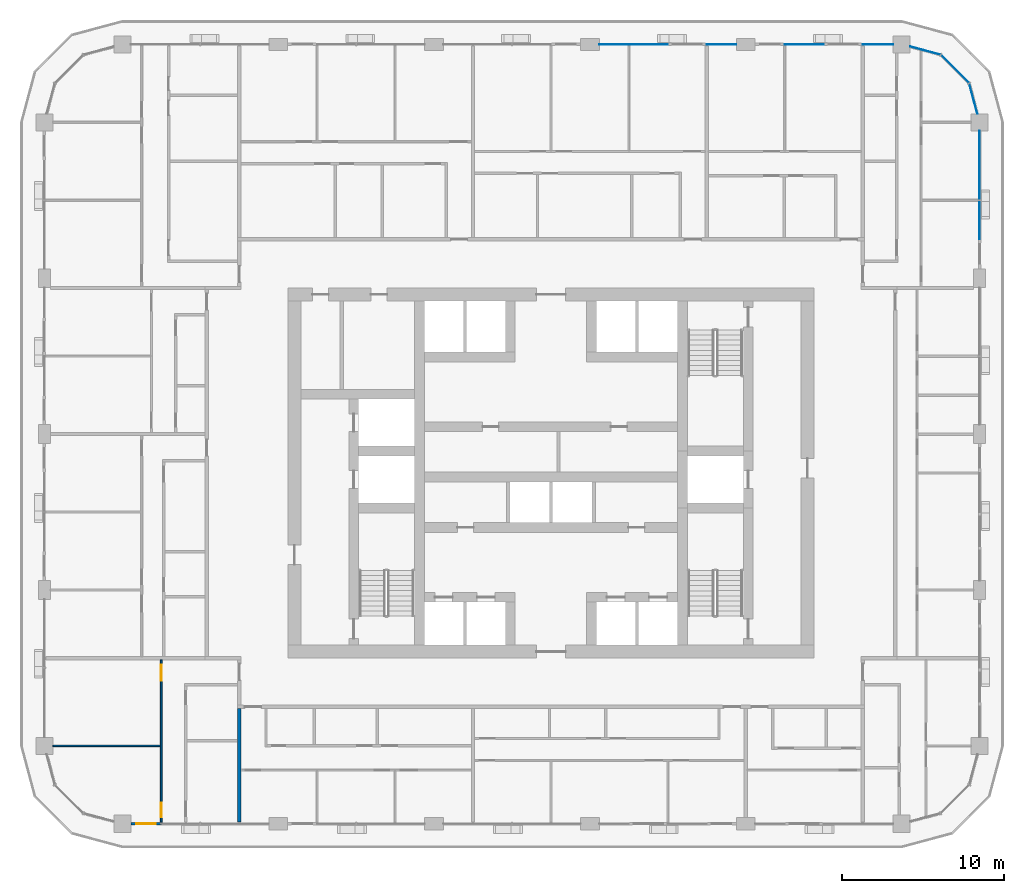
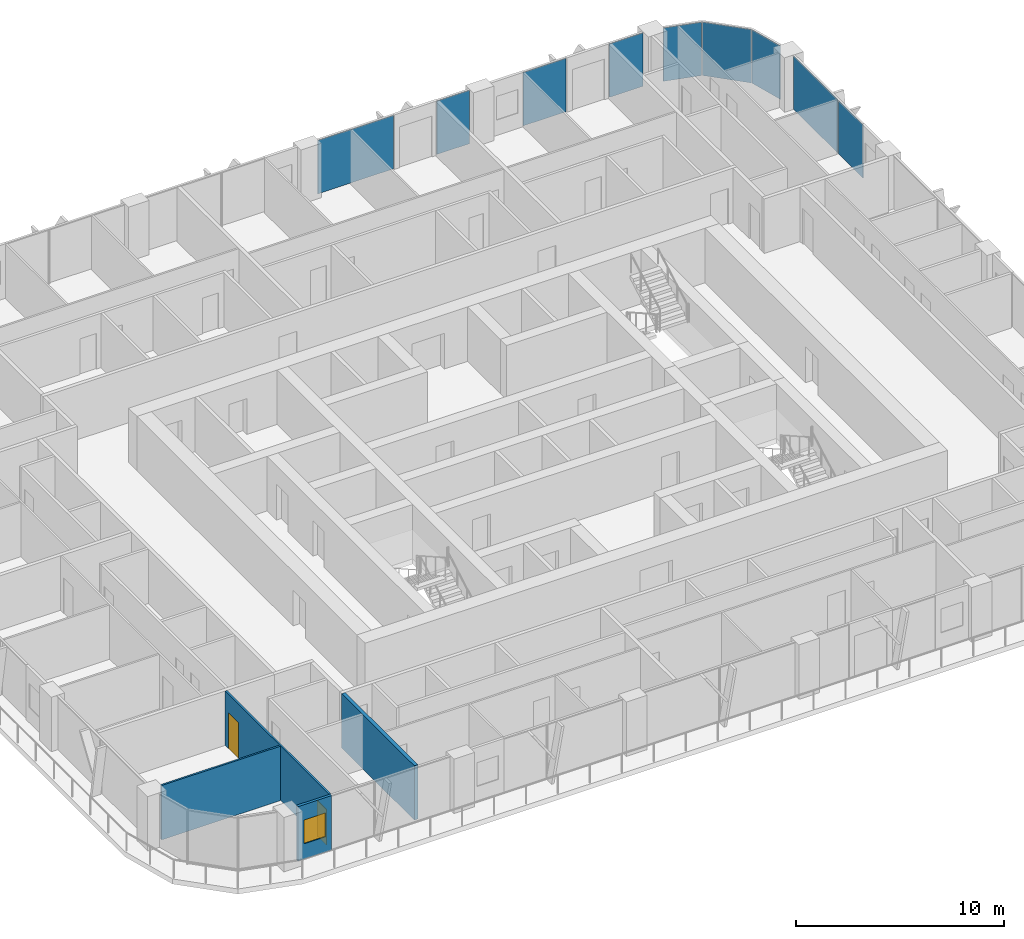
# One storey, part 8 of 22: 9 plates, 4 walls, 2 doors, 1 window, 3 openings, 4 elements without a shape of their own.
"""IFC4 building model written with IfcOpenShell, lengths in metres."""

import ifcopenshell
import ifcopenshell.guid

model = None  # the IFC model being written
_history = None  # IfcOwnerHistory: only IFC2X3 demands one
_inside = {}  # id of a spatial element -> (the spatial element, [elements in it])
_under = {}  # id of a project, library or spatial element -> (it, [spatial elements below it])
_declared = {}  # id of a project -> (the project, [libraries it declares])
_typed = {}  # id of a type object -> (the type object, [elements of that type])
_made_of = {}  # id of a material, layer set ... -> (it, [elements and type objects made of it])


def new_model(schema):
    """Start an empty IFC model of exactly this schema.

    Asked for "IFC4X3", IfcOpenShell would pick the latest addendum, in which some entities
    have other attributes; the version numbers below select the first issue.
    IFC2X3 requires an IfcOwnerHistory on every rooted entity: one is made here for all.
    """
    global model, _history
    if schema == "IFC4X3":
        model = ifcopenshell.file(schema_version=(4, 3, 0, 0))
    else:
        model = ifcopenshell.file(schema=schema)
    _inside.clear()
    _under.clear()
    _declared.clear()
    _typed.clear()
    _made_of.clear()
    _history = None
    if model.schema == "IFC2X3":
        org = make("IfcOrganization", Name="unknown")
        user = make(
            "IfcPersonAndOrganization",
            ThePerson=make("IfcPerson", FamilyName="unknown"),
            TheOrganization=org,
        )
        app = make(
            "IfcApplication",
            ApplicationDeveloper=org,
            Version="unknown",
            ApplicationFullName="unknown",
            ApplicationIdentifier="unknown",
        )
        _history = make(
            "IfcOwnerHistory",
            OwningUser=user,
            OwningApplication=app,
            ChangeAction="ADDED",
            CreationDate=0,
        )
    return model


def make(cls, **values):
    """One entity of the class cls with the attributes given. An attribute that is None is left unset."""
    return model.create_entity(
        cls, **{name: value for name, value in values.items() if value is not None}
    )


def rooted(cls, **values):
    """An entity with a GlobalId (a new one), such as an element, a storey or a relation."""
    return make(cls, GlobalId=ifcopenshell.guid.new(), OwnerHistory=_history, **values)


def si_unit(unit_type, name, prefix=None):
    """IfcSIUnit, for example si_unit("LENGTHUNIT", "METRE", prefix="MILLI")."""
    return make("IfcSIUnit", UnitType=unit_type, Prefix=prefix, Name=name)


def assignment(units):
    """IfcUnitAssignment: the units of a project."""
    return None if units is None else make("IfcUnitAssignment", Units=units)


def point(xyz):
    """IfcCartesianPoint."""
    return None if xyz is None else make("IfcCartesianPoint", Coordinates=xyz)


def direction(xyz):
    """IfcDirection."""
    return None if xyz is None else make("IfcDirection", DirectionRatios=xyz)


def frame(location, z_axis=None, x_axis=None):
    """IfcAxis2Placement3D, a coordinate frame: its origin and axes. An axis left out is left unset."""
    return make(
        "IfcAxis2Placement3D",
        Location=point(location),
        Axis=direction(z_axis),
        RefDirection=direction(x_axis),
    )


def frame_2d(location, x_axis=None):
    """IfcAxis2Placement2D, a coordinate frame in the plane: its origin and x axis."""
    return make(
        "IfcAxis2Placement2D", Location=point(location), RefDirection=direction(x_axis)
    )


def origin():
    """The frame at (0, 0, 0) with its axes left unset."""
    return frame((0.0, 0.0, 0.0))


def origin_2d():
    """The frame at (0, 0) in the plane with its x axis left unset."""
    return frame_2d((0.0, 0.0))


def place(relative_to, where):
    """IfcLocalPlacement: puts the frame where relative to a parent placement (None: the world)."""
    return make(
        "IfcLocalPlacement", PlacementRelTo=relative_to, RelativePlacement=where
    )


def context(
    kind, dimensions, precision=None, world=None, true_north=None, identifier=None
):
    """IfcGeometricRepresentationContext, for example the 3D "Model" context."""
    return make(
        "IfcGeometricRepresentationContext",
        ContextIdentifier=identifier,
        ContextType=kind,
        CoordinateSpaceDimension=dimensions,
        Precision=precision,
        WorldCoordinateSystem=world,
        TrueNorth=true_north,
    )


def subcontext(parent, identifier, kind, view, scale=None):
    """IfcGeometricRepresentationSubContext, for example "Body" below "Model"."""
    return make(
        "IfcGeometricRepresentationSubContext",
        ContextIdentifier=identifier,
        ContextType=kind,
        ParentContext=parent,
        TargetScale=scale,
        TargetView=view,
    )


def project(units=None, contexts=None):
    """IfcProject with its units and contexts."""
    return rooted(
        "IfcProject",
        Name="project",
        RepresentationContexts=contexts,
        UnitsInContext=assignment(units),
    )


def spatial(cls, under=None, at=None, **own):
    """A site, building, storey or space (cls), placed at a placement, below another one or the project."""
    s = rooted(cls, ObjectPlacement=at, **own)
    if under is not None:
        _under.setdefault(under.id(), (under, []))[1].append(s)
    return s


def profile(cls, at=None, kind="AREA", **sizes):
    """A parametric profile (cls). Its sizes go by their IFC names, for example OverallWidth=200.0."""
    return make(cls, ProfileType=kind, Position=at, **sizes)


def rectangle(**sizes):
    """IfcRectangleProfileDef."""
    return profile("IfcRectangleProfileDef", **sizes)


def extrude(swept, where, along, depth):
    """IfcExtrudedAreaSolid: the profile swept, set in the frame where, extruded along a direction by depth."""
    return make(
        "IfcExtrudedAreaSolid",
        SweptArea=swept,
        Position=where,
        ExtrudedDirection=direction(along),
        Depth=depth,
    )


def shape(context_of_items, identifier, shape_type, items):
    """IfcShapeRepresentation: the items that make up one representation, for example the "Body"."""
    return make(
        "IfcShapeRepresentation",
        ContextOfItems=context_of_items,
        RepresentationIdentifier=identifier,
        RepresentationType=shape_type,
        Items=items,
    )


def material(Name=None, Category=None):
    """IfcMaterial."""
    return make("IfcMaterial", Name=Name, Category=Category)


def layer(
    of_material, thickness, ventilated=None, Name=None, Category=None, Priority=None
):
    """IfcMaterialLayer: one layer of a wall or slab, of a material (None: an air gap)."""
    return make(
        "IfcMaterialLayer",
        Material=of_material,
        LayerThickness=thickness,
        IsVentilated=ventilated,
        Name=Name,
        Category=Category,
        Priority=Priority,
    )


def layer_set(layers, Name=None):
    """IfcMaterialLayerSet."""
    return make("IfcMaterialLayerSet", MaterialLayers=layers, LayerSetName=Name)


def made_of(thing, what):
    """Note that an element or type object is made of a material, layer set ...; save() writes the relation."""
    if what is not None:
        _made_of.setdefault(what.id(), (what, []))[1].append(thing)
    return thing


def type_object(cls, material=None, **own):
    """A type object (cls), such as IfcWallType, which elements share."""
    return made_of(rooted(cls, **own), material)


def element(
    cls,
    number,
    at=None,
    inside=None,
    cuts=None,
    type_object=None,
    material=None,
    context=None,
    identifier="Body",
    shape_type=None,
    held_by="IfcProductDefinitionShape",
    body=None,
    shapes=None,
    **own,
):
    """One element of the class cls, such as IfcWall. Its Tag is "e" and its number.

    at: its placement. inside: the storey or other place that contains it. cuts: it is an
    opening in that element (IfcRelVoidsElement). A single representation is given by context,
    identifier, shape_type and body (its items); several are given by shapes. held_by: the class
    of the entity that holds the representations. save() writes the other relations.
    """
    e = rooted(cls, Tag="e%d" % number, ObjectPlacement=at, **own)
    if body is not None:
        shapes = [shape(context, identifier, shape_type, body)]
    if shapes is not None:
        e.Representation = make(held_by, Representations=shapes)
    if inside is not None:
        _inside.setdefault(inside.id(), (inside, []))[1].append(e)
    if cuts is not None:
        rooted(
            "IfcRelVoidsElement", RelatingBuildingElement=cuts, RelatedOpeningElement=e
        )
    if type_object is not None:
        _typed.setdefault(type_object.id(), (type_object, []))[1].append(e)
    return made_of(e, material)


def fill(opening, filler):
    """IfcRelFillsElement: the door or window that sits in an opening."""
    return rooted(
        "IfcRelFillsElement",
        RelatingOpeningElement=opening,
        RelatedBuildingElement=filler,
    )


def aggregate(whole, parts):
    """IfcRelAggregates: a whole, such as a stair, and the parts it consists of."""
    return rooted("IfcRelAggregates", RelatingObject=whole, RelatedObjects=parts)


def save(model, path):
    """Write the relations noted so far, then the file.

    IfcRelAggregates (storeys below a building ...), IfcRelContainedInSpatialStructure (elements
    in a storey), IfcRelDefinesByType, IfcRelAssociatesMaterial and IfcRelDeclares: one each for
    every whole, place, type object, material and project.
    """
    for whole, parts in _under.values():
        aggregate(whole, parts)
    for where, things in _inside.values():
        rooted(
            "IfcRelContainedInSpatialStructure",
            RelatedElements=things,
            RelatingStructure=where,
        )
    for kind, things in _typed.values():
        rooted("IfcRelDefinesByType", RelatedObjects=things, RelatingType=kind)
    for what, things in _made_of.values():
        rooted("IfcRelAssociatesMaterial", RelatedObjects=things, RelatingMaterial=what)
    for by, libraries in _declared.values():
        rooted("IfcRelDeclares", RelatingContext=by, RelatedDefinitions=libraries)
    model.write(path)


model = new_model("IFC4")

# Units and contexts
model_context = context("Model", 3, precision=1e-05, world=origin(), true_north=direction((0.0, 1.0)))
body_context = subcontext(model_context, "Body", "Model", "MODEL_VIEW")
ifc_project = project(units=[si_unit("LENGTHUNIT", "METRE"), si_unit("AREAUNIT", "SQUARE_METRE"), si_unit("VOLUMEUNIT", "CUBIC_METRE"), si_unit("PLANEANGLEUNIT", "RADIAN"), si_unit("MASSUNIT", "GRAM", prefix="KILO")], contexts=[model_context])

# Site, building, storey
site_placement = place(None, origin())
site = spatial("IfcSite", under=ifc_project, at=site_placement, CompositionType="ELEMENT")
building_placement = place(site_placement, origin())
building = spatial("IfcBuilding", under=site, at=building_placement, Name="Madar Terraces", CompositionType="ELEMENT")
storey_placement = place(building_placement, frame((0.0, 0.0, 119.10009765625)))
storey = spatial("IfcBuildingStorey", under=building, at=storey_placement, Name="L30", CompositionType="ELEMENT", Elevation=119.10009765625)

# Curtain wall, plates
ifc_material_1 = material(Name="Glass, ceramic frit dark grey, with black aluminium frame", Category="aluminium")
ifc_layer_1 = layer(ifc_material_1, 0.199951171875)
ifc_layer_set_1 = layer_set([ifc_layer_1], Name="Facade curtain wall, fritted glass")
curtain_wall_type = type_object("IfcCurtainWallType", Name="Facade curtain wall, fritted glass", PredefinedType="NOTDEFINED", material=ifc_layer_set_1)
curtain_wall_1_placement = place(storey_placement, origin())
curtain_wall_1 = element("IfcCurtainWall", 1, at=curtain_wall_1_placement, inside=storey, type_object=curtain_wall_type, Name="Outer skin curtain wall east bay 4", PredefinedType="NOTDEFINED")
ifc_material_2 = material(Name="Glass, ceramic frit dark grey", Category="glass")
ifc_layer_2 = layer(ifc_material_2, 0.028076171875)
ifc_layer_set_2 = layer_set([ifc_layer_2], Name="Facade glass panel 28")
plate_type = type_object("IfcPlateType", Name="Facade glass panel 28", PredefinedType="CURTAIN_PANEL", material=ifc_layer_set_2)
plate_1_placement = place(storey_placement, frame((57.60009765625, 41.985107421875, 0.0), z_axis=(0.0, 0.0, 1.0), x_axis=(0.0, 1.0, 0.0)))
plate_1 = element("IfcPlate", 2, at=plate_1_placement, type_object=plate_type, Name="Panel 1", PredefinedType="CURTAIN_PANEL", context=body_context, shape_type="SweptSolid", body=[
    extrude(rectangle(XDim=2.3701171875, YDim=0.028076171875, at=origin_2d()), origin(), (0.0, 0.0, 1.0), 3.139892578125),
])
plate_2_placement = place(storey_placement, frame((57.60009765625, 45.3525390625, 0.0), z_axis=(0.0, 0.0, 1.0), x_axis=(0.0, 1.0, 0.0)))
plate_2 = element("IfcPlate", 3, at=plate_2_placement, type_object=plate_type, Name="Panel 2", PredefinedType="CURTAIN_PANEL", context=body_context, shape_type="SweptSolid", body=[
    extrude(rectangle(XDim=4.2451171875, YDim=0.028076171875, at=origin_2d()), origin(), (0.0, 0.0, 1.0), 3.139892578125),
])
aggregate(curtain_wall_1, [plate_1, plate_2])

curtain_wall_2_placement = place(storey_placement, origin())
curtain_wall_2 = element("IfcCurtainWall", 4, at=curtain_wall_2_placement, inside=storey, type_object=curtain_wall_type, Name="Outer skin curtain wall north bay 1", PredefinedType="NOTDEFINED")
plate_3_placement = place(storey_placement, frame((51.33740234375, 52.800048828125, 0.0), z_axis=(0.0, 0.0, 1.0), x_axis=(-1.0, 0.0, 0.0)))
plate_3 = element("IfcPlate", 5, at=plate_3_placement, type_object=plate_type, Name="Panel 1", PredefinedType="CURTAIN_PANEL", context=body_context, shape_type="SweptSolid", body=[
    extrude(rectangle(XDim=1.875, YDim=0.028076171875, at=origin_2d()), origin(), (0.0, 0.0, 1.0), 3.139892578125),
])
plate_4_placement = place(storey_placement, frame((46.800048828125, 52.800048828125, 0.0), z_axis=(0.0, 0.0, 1.0), x_axis=(-1.0, 0.0, 0.0)))
plate_4 = element("IfcPlate", 6, at=plate_4_placement, type_object=plate_type, Name="Panel 2", PredefinedType="CURTAIN_PANEL", context=body_context, shape_type="SweptSolid", body=[
    extrude(rectangle(XDim=2.39990234375, YDim=0.028076171875, at=origin_2d()), origin(), (0.0, 0.0, 1.0), 3.139892578125),
])
aggregate(curtain_wall_2, [plate_3, plate_4])

curtain_wall_3_placement = place(storey_placement, origin())
curtain_wall_3 = element("IfcCurtainWall", 7, at=curtain_wall_3_placement, inside=storey, type_object=curtain_wall_type, Name="Outer skin curtain wall north bay 2", PredefinedType="NOTDEFINED")
plate_5_placement = place(storey_placement, frame((41.71240234375, 52.800048828125, 0.0), z_axis=(0.0, 0.0, 1.0), x_axis=(-1.0, 0.0, 0.0)))
plate_5 = element("IfcPlate", 8, at=plate_5_placement, type_object=plate_type, Name="Panel 1", PredefinedType="CURTAIN_PANEL", context=body_context, shape_type="SweptSolid", body=[
    extrude(rectangle(XDim=1.824951171875, YDim=0.028076171875, at=origin_2d()), origin(), (0.0, 0.0, 1.0), 3.139892578125),
])
plate_6_placement = place(storey_placement, frame((36.28759765625, 52.800048828125, 0.0), z_axis=(0.0, 0.0, 1.0), x_axis=(-1.0, 0.0, 0.0)))
plate_6 = element("IfcPlate", 9, at=plate_6_placement, type_object=plate_type, Name="Panel 2", PredefinedType="CURTAIN_PANEL", context=body_context, shape_type="SweptSolid", body=[
    extrude(rectangle(XDim=4.22509765625, YDim=0.028076171875, at=origin_2d()), origin(), (0.0, 0.0, 1.0), 3.139892578125),
])
aggregate(curtain_wall_3, [plate_5, plate_6])

curtain_wall_4_placement = place(storey_placement, origin())
curtain_wall_4 = element("IfcCurtainWall", 10, at=curtain_wall_4_placement, inside=storey, type_object=curtain_wall_type, Name="Outer skin curtain wall north-east corner", PredefinedType="NOTDEFINED")
plate_7_placement = place(storey_placement, frame((57.2119140625, 49.447998046875, 0.0), z_axis=(0.0, 0.0, 1.0), x_axis=(-0.258819021888, 0.965925832509, 0.0)))
plate_7 = element("IfcPlate", 11, at=plate_7_placement, type_object=plate_type, Name="Panel 1", PredefinedType="CURTAIN_PANEL", context=body_context, shape_type="SweptSolid", body=[
    extrude(rectangle(XDim=1.9111328125, YDim=0.028076171875, at=origin_2d()), origin(), (0.0, 0.0, 1.0), 3.139892578125),
])
plate_8_placement = place(storey_placement, frame((56.078369140625, 51.278564453125, 0.0), z_axis=(0.0, 0.0, 1.0), x_axis=(-0.707106781187, 0.707106781187, 0.0)))
plate_8 = element("IfcPlate", 12, at=plate_8_placement, type_object=plate_type, Name="Panel 2", PredefinedType="CURTAIN_PANEL", context=body_context, shape_type="SweptSolid", body=[
    extrude(rectangle(XDim=2.424560546875, YDim=0.028076171875, at=origin_2d()), origin(), (0.0, 0.0, 1.0), 3.139892578125),
])
plate_9_placement = place(storey_placement, frame((54.248046875, 52.412109375, 0.0), z_axis=(0.0, 0.0, 1.0), x_axis=(-0.965925832509, 0.258819021888, 0.0)))
plate_9 = element("IfcPlate", 13, at=plate_9_placement, type_object=plate_type, Name="Panel 3", PredefinedType="CURTAIN_PANEL", context=body_context, shape_type="SweptSolid", body=[
    extrude(rectangle(XDim=1.9111328125, YDim=0.028076171875, at=origin_2d()), origin(), (0.0, 0.0, 1.0), 3.139892578125),
])
aggregate(curtain_wall_4, [plate_7, plate_8, plate_9])

# Wall, opening, window
ifc_material_3 = material(Name="Aluminium composite panel, black, over insulated backing", Category="aluminium")
ifc_layer_3 = layer(ifc_material_3, 0.14990234375)
ifc_layer_set_3 = layer_set([ifc_layer_3], Name="Facade bay panel 150")
wall_type_1 = type_object("IfcWallType", Name="Facade bay panel 150", PredefinedType="SOLIDWALL", material=ifc_layer_set_3)
wall_1_placement = place(storey_placement, frame((5.324951171875, 4.800048828125, 0.0), z_axis=(0.0, 0.0, 1.0), x_axis=(1.0, 0.0, 0.0)))
wall_1 = element("IfcWall", 14, at=wall_1_placement, inside=storey, type_object=wall_type_1, Name="Facade bay panel", PredefinedType="SOLIDWALL", context=body_context, shape_type="SweptSolid", body=[
    extrude(rectangle(XDim=1.875, YDim=0.14990234375, at=frame_2d((0.9375, 0.0))), origin(), (0.0, 0.0, 1.0), 3.199951171875),
])
opening_1_placement = place(wall_1_placement, frame((0.33740234375, 0.0, 0.89990234375)))
opening_1 = element("IfcOpeningElement", 15, at=opening_1_placement, cuts=wall_1, Name="Opening W1", PredefinedType="OPENING", context=body_context, shape_type="SweptSolid", body=[
    extrude(rectangle(XDim=1.199951171875, YDim=1.39990234375, at=frame_2d((0.60009765625, 0.699951171875))), frame((0.0, 0.0849609375, 0.0), z_axis=(0.0, -1.0, 0.0), x_axis=(1.0, 0.0, 0.0)), (0.0, 0.0, 1.0), 0.169921875),
])
ifc_material_4 = material(Name="Glass, clear, with black aluminium frame", Category="aluminium")
window_type = type_object("IfcWindowType", Name="Vent window 1200 x 1400", PartitioningType="SINGLE_PANEL", PredefinedType="WINDOW", material=ifc_material_4)
window_placement = place(opening_1_placement, origin())
window = element("IfcWindow", 16, at=window_placement, inside=storey, type_object=window_type, Name="Operable vent window", OverallHeight=1.39990234375, OverallWidth=1.199951171875, PartitioningType="SINGLE_PANEL", PredefinedType="WINDOW", context=body_context, shape_type="SweptSolid", body=[
    extrude(rectangle(XDim=1.199951171875, YDim=1.39990234375, at=frame_2d((0.60009765625, 0.699951171875))), frame((0.0, 0.030029296875, 0.0), z_axis=(0.0, -1.0, 0.0), x_axis=(1.0, 0.0, 0.0)), (0.0, 0.0, 1.0), 0.06005859375),
])
fill(opening_1, window)

# Wall
ifc_material_5 = material(Name="Gypsum board on steel studs", Category="steel")
ifc_layer_4 = layer(ifc_material_5, 0.10009765625)
ifc_layer_set_4 = layer_set([ifc_layer_4], Name="Flat partition 100")
wall_type_2 = type_object("IfcWallType", Name="Flat partition 100", PredefinedType="PARTITIONING", material=ifc_layer_set_4)
wall_2_placement = place(storey_placement, frame((7.14990234375, 9.60009765625, 0.0), z_axis=(0.0, 0.0, 1.0), x_axis=(-1.0, 0.0, 0.0)))
element("IfcWall", 17, at=wall_2_placement, inside=storey, type_object=wall_type_2, Name="Flat partition 100", PredefinedType="PARTITIONING", context=body_context, shape_type="SweptSolid", body=[
    extrude(rectangle(XDim=6.625, YDim=0.10009765625, at=frame_2d((3.3125, 0.0))), origin(), (0.0, 0.0, 1.0), 3.199951171875),
])

# Wall, openings, doors
wall_3_placement = place(storey_placement, frame((7.199951171875, 4.89990234375, 0.0), z_axis=(0.0, 0.0, 1.0), x_axis=(0.0, 1.0, 0.0)))
wall_3 = element("IfcWall", 18, at=wall_3_placement, inside=storey, type_object=wall_type_2, Name="Flat partition 100", PredefinedType="PARTITIONING", context=body_context, shape_type="SweptSolid", body=[
    extrude(rectangle(XDim=10.0, YDim=0.10009765625, at=frame_2d((5.0, 0.0))), origin(), (0.0, 0.0, 1.0), 3.199951171875),
])
opening_2_placement = place(wall_3_placement, frame((8.699951171875, 0.0, 0.0)))
opening_2 = element("IfcOpeningElement", 19, at=opening_2_placement, cuts=wall_3, Name="Opening D3", PredefinedType="OPENING", context=body_context, shape_type="SweptSolid", body=[
    extrude(rectangle(XDim=1.0, YDim=2.10009765625, at=frame_2d((0.5, 1.050048828125))), frame((0.0, 0.06005859375, 0.0), z_axis=(0.0, -1.0, 0.0), x_axis=(1.0, 0.0, 0.0)), (0.0, 0.0, 1.0), 0.1201171875),
])
opening_3_placement = place(wall_3_placement, frame((0.300048828125, 0.0, 0.0)))
opening_3 = element("IfcOpeningElement", 20, at=opening_3_placement, cuts=wall_3, Name="Opening D2", PredefinedType="OPENING", context=body_context, shape_type="SweptSolid", body=[
    extrude(rectangle(XDim=0.89990234375, YDim=2.10009765625, at=frame_2d((0.449951171875, 1.050048828125))), frame((0.0, 0.06005859375, 0.0), z_axis=(0.0, -1.0, 0.0), x_axis=(1.0, 0.0, 0.0)), (0.0, 0.0, 1.0), 0.1201171875),
])
ifc_material_6 = material(Name="Timber door leaf", Category="wood")
door_type_1 = type_object("IfcDoorType", Name="Flat living room door 1000", OperationType="NOTDEFINED", PredefinedType="DOOR", material=ifc_material_6)
door_1_placement = place(opening_2_placement, origin())
door_1 = element("IfcDoor", 21, at=door_1_placement, inside=storey, type_object=door_type_1, Name="Flat living room door 1000", OperationType="SINGLE_SWING_RIGHT", OverallHeight=2.10009765625, OverallWidth=1.0, PredefinedType="DOOR", context=body_context, shape_type="SweptSolid", body=[
    extrude(rectangle(XDim=1.0, YDim=2.10009765625, at=frame_2d((0.5, 1.050048828125))), frame((0.0, 0.02490234375, 0.0), z_axis=(0.0, -1.0, 0.0), x_axis=(1.0, 0.0, 0.0)), (0.0, 0.0, 1.0), 0.050048828125),
])
fill(opening_2, door_1)
ifc_material_7 = material(Name="Timber door leaf", Category="wood")
door_type_2 = type_object("IfcDoorType", Name="Flat room door 900", OperationType="NOTDEFINED", PredefinedType="DOOR", material=ifc_material_7)
door_2_placement = place(opening_3_placement, origin())
door_2 = element("IfcDoor", 22, at=door_2_placement, inside=storey, type_object=door_type_2, Name="Flat room door 900", OperationType="SINGLE_SWING_LEFT", OverallHeight=2.10009765625, OverallWidth=0.89990234375, PredefinedType="DOOR", context=body_context, shape_type="SweptSolid", body=[
    extrude(rectangle(XDim=0.89990234375, YDim=2.10009765625, at=frame_2d((0.449951171875, 1.050048828125))), frame((0.0, 0.02490234375, 0.0), z_axis=(0.0, -1.0, 0.0), x_axis=(1.0, 0.0, 0.0)), (0.0, 0.0, 1.0), 0.050048828125),
])
fill(opening_3, door_2)

# Wall
ifc_material_8 = material(Name="Lightweight blockwork", Category="masonry")
ifc_layer_5 = layer(ifc_material_8, 0.199951171875)
ifc_layer_set_5 = layer_set([ifc_layer_5], Name="Flat party and entrance wall 200")
wall_type_3 = type_object("IfcWallType", Name="Flat party and entrance wall 200", PredefinedType="PARTITIONING", material=ifc_layer_set_5)
wall_4_placement = place(storey_placement, frame((12.0, 4.89990234375, 0.0), z_axis=(0.0, 0.0, 1.0), x_axis=(0.0, 1.0, 0.0)))
element("IfcWall", 23, at=wall_4_placement, inside=storey, type_object=wall_type_3, Name="Flat party and entrance wall 200", PredefinedType="PARTITIONING", context=body_context, shape_type="SweptSolid", body=[
    extrude(rectangle(XDim=7.0, YDim=0.199951171875, at=frame_2d((3.5, 0.0))), origin(), (0.0, 0.0, 1.0), 3.199951171875),
])

save(model, "model.ifc")
